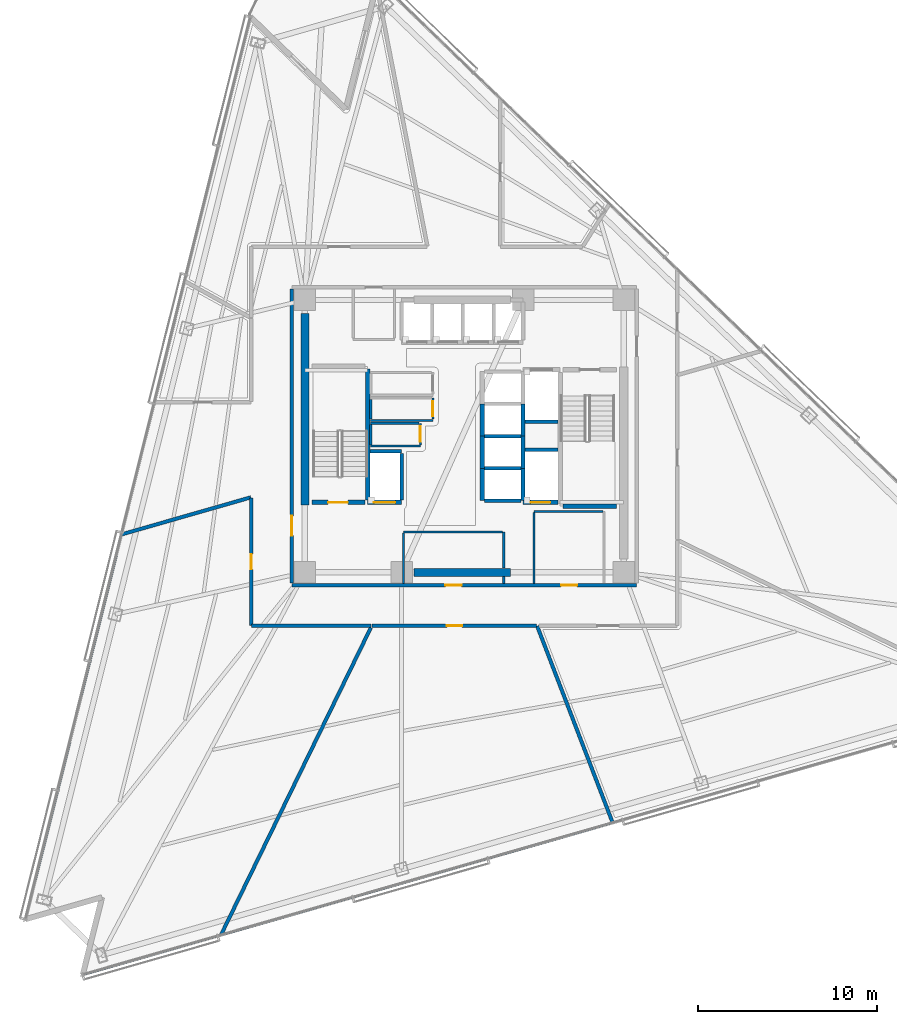
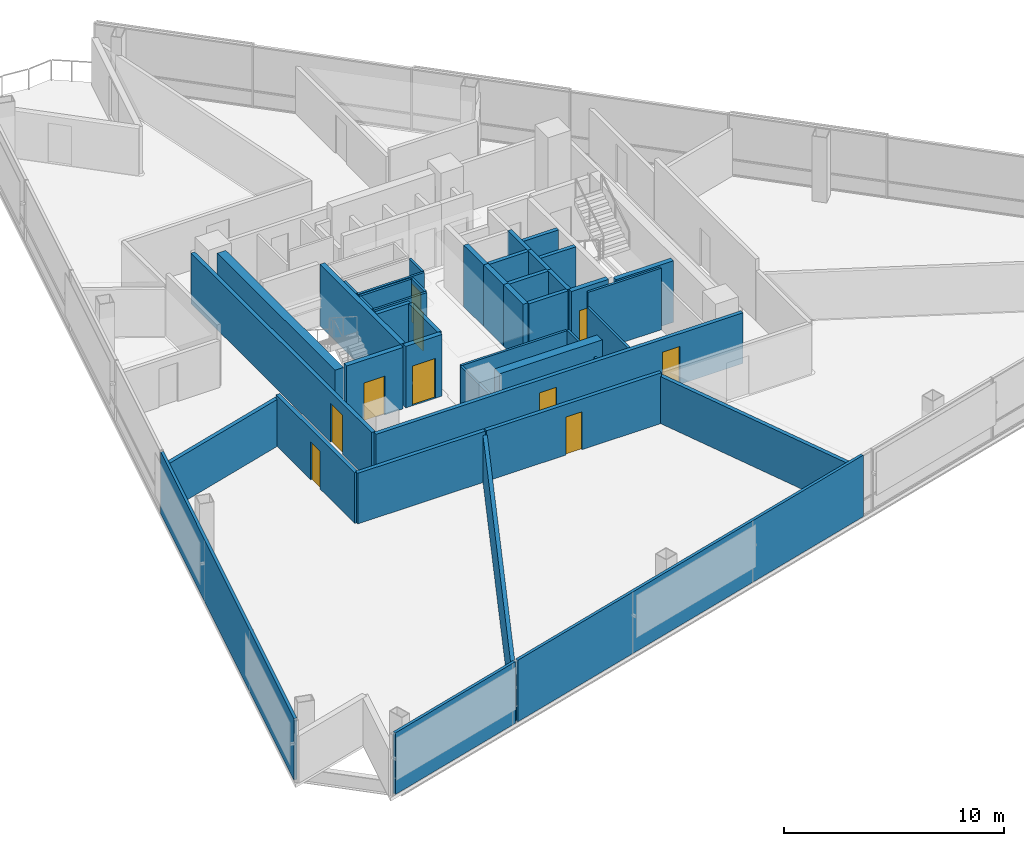
# One storey, part 9 of 17: 44 walls, 10 doors, 10 openings.
"""IFC4 building model written with IfcOpenShell, lengths in metres."""

from ifc_helpers import new_model, si_unit, direction, frame, frame_2d, origin, place, context, subcontext, project, spatial, rectangle, extrude, material, layer, layer_set, type_object, element, fill, save


model = new_model("IFC4")

# Units and contexts
model_context = context("Model", 3, precision=1e-05, world=origin(), true_north=direction((0.0, 1.0)))
body_context = subcontext(model_context, "Body", "Model", "MODEL_VIEW")
ifc_project = project(units=[si_unit("LENGTHUNIT", "METRE"), si_unit("AREAUNIT", "SQUARE_METRE"), si_unit("VOLUMEUNIT", "CUBIC_METRE"), si_unit("PLANEANGLEUNIT", "RADIAN"), si_unit("MASSUNIT", "GRAM", prefix="KILO")], contexts=[model_context])

# Site, building, storey
site_placement = place(None, origin())
site = spatial("IfcSite", under=ifc_project, at=site_placement, CompositionType="ELEMENT")
building_placement = place(site_placement, origin())
building = spatial("IfcBuilding", under=site, at=building_placement, Name="Tharavind Bronze Gate", CompositionType="ELEMENT")
storey_placement = place(building_placement, frame((0.0, 0.0, 93.300048828125)))
storey = spatial("IfcBuildingStorey", under=building, at=storey_placement, Name="L23", CompositionType="ELEMENT", Elevation=93.300048828125)

# Wall, openings, doors
ifc_material_1 = material(Name="Aerated Concrete Block", Category="concrete")
ifc_layer_1 = layer(ifc_material_1, 0.199951171875)
ifc_layer_set_1 = layer_set([ifc_layer_1], Name="Aerated Concrete Block")
wall_type_1 = type_object("IfcWallType", Name="FIRE RATED PARTITION 200", PredefinedType="PARTITIONING", material=ifc_layer_set_1)
wall_1_placement = place(storey_placement, frame((-9.6201171875, -8.320068359375, 0.0), z_axis=(0.0, 0.0, 1.0), x_axis=(1.0, 0.0, 0.0)))
wall_1 = element("IfcWall", 1, at=wall_1_placement, inside=storey, type_object=wall_type_1, Name="L23 south core corridor wall", PredefinedType="PARTITIONING", context=body_context, shape_type="SweptSolid", body=[
    extrude(rectangle(XDim=19.240234375, YDim=0.199951171875, at=frame_2d((9.6201171875, 0.0))), origin(), (0.0, 0.0, 1.0), 2.804931640625),
])
opening_1_placement = place(wall_1_placement, frame((8.570068359375, 0.0, 0.0)))
opening_1 = element("IfcOpeningElement", 2, at=opening_1_placement, cuts=wall_1, Name="Opening ID07", PredefinedType="OPENING", context=body_context, shape_type="SweptSolid", body=[
    extrude(rectangle(XDim=0.89990234375, YDim=2.10009765625, at=frame_2d((0.449951171875, 1.050048828125))), frame((0.0, 0.11009765625, 0.0), z_axis=(0.0, -1.0, 0.0), x_axis=(1.0, 0.0, 0.0)), (0.0, 0.0, 1.0), 0.219951171875),
])
opening_2_placement = place(wall_1_placement, frame((15.02001953125, 0.0, 0.0)))
opening_2 = element("IfcOpeningElement", 3, at=opening_2_placement, cuts=wall_1, Name="Opening ID07", PredefinedType="OPENING", context=body_context, shape_type="SweptSolid", body=[
    extrude(rectangle(XDim=0.89990234375, YDim=2.10009765625, at=frame_2d((0.449951171875, 1.050048828125))), frame((0.0, 0.11009765625, 0.0), z_axis=(0.0, -1.0, 0.0), x_axis=(1.0, 0.0, 0.0)), (0.0, 0.0, 1.0), 0.219951171875),
])
ifc_material_2 = material(Name="Galvanised Fire Steel", Category="steel")
door_type_1 = type_object("IfcDoorType", Name="PLANT AND RISER FIRE DOOR 900X2100", OperationType="SINGLE_SWING_LEFT", PredefinedType="DOOR", material=ifc_material_2)
door_1_placement = place(opening_1_placement, origin())
door_1 = element("IfcDoor", 4, at=door_1_placement, inside=storey, type_object=door_type_1, Name="L23 Core BMS Control Room fire door", OperationType="SINGLE_SWING_LEFT", OverallHeight=2.10009765625, OverallWidth=0.89990234375, PredefinedType="DOOR", context=body_context, shape_type="SweptSolid", body=[
    extrude(rectangle(XDim=0.89990234375, YDim=2.10009765625, at=frame_2d((0.449951171875, 1.050048828125))), frame((0.0, 0.02490234375, 0.0), z_axis=(0.0, -1.0, 0.0), x_axis=(1.0, 0.0, 0.0)), (0.0, 0.0, 1.0), 0.050048828125),
])
fill(opening_1, door_1)
door_2_placement = place(opening_2_placement, origin())
door_2 = element("IfcDoor", 5, at=door_2_placement, inside=storey, type_object=door_type_1, Name="L23 Telecom Metering Room fire door", OperationType="SINGLE_SWING_LEFT", OverallHeight=2.10009765625, OverallWidth=0.89990234375, PredefinedType="DOOR", context=body_context, shape_type="SweptSolid", body=[
    extrude(rectangle(XDim=0.89990234375, YDim=2.10009765625, at=frame_2d((0.449951171875, 1.050048828125))), frame((0.0, 0.02490234375, 0.0), z_axis=(0.0, -1.0, 0.0), x_axis=(1.0, 0.0, 0.0)), (0.0, 0.0, 1.0), 0.050048828125),
])
fill(opening_2, door_2)

# Wall, opening, door
wall_2_placement = place(storey_placement, frame((-9.6201171875, 8.199951171875, 0.0), z_axis=(0.0, 0.0, 1.0), x_axis=(0.0, -1.0, 0.0)))
wall_2 = element("IfcWall", 6, at=wall_2_placement, inside=storey, type_object=wall_type_1, Name="L23 west core corridor wall", PredefinedType="PARTITIONING", context=body_context, shape_type="SweptSolid", body=[
    extrude(rectangle(XDim=16.39990234375, YDim=0.199951171875, at=frame_2d((8.199951171875, 0.0))), origin(), (0.0, 0.0, 1.0), 2.804931640625),
])
opening_3_placement = place(wall_2_placement, frame((12.64990234375, 0.0, 0.0)))
opening_3 = element("IfcOpeningElement", 7, at=opening_3_placement, cuts=wall_2, Name="Opening ID01", PredefinedType="OPENING", context=body_context, shape_type="SweptSolid", body=[
    extrude(rectangle(XDim=1.10009765625, YDim=2.14990234375, at=frame_2d((0.550048828125, 1.074951171875))), frame((0.0, 0.11009765625, 0.0), z_axis=(0.0, -1.0, 0.0), x_axis=(1.0, 0.0, 0.0)), (0.0, 0.0, 1.0), 0.219951171875),
])
ifc_material_3 = material(Name="Fire-Rated Steel", Category="steel")
door_type_2 = type_object("IfcDoorType", Name="STAIR CORE FIRE DOOR 1100X2150", OperationType="SINGLE_SWING_LEFT", PredefinedType="DOOR", material=ifc_material_3)
door_3_placement = place(opening_3_placement, frame((1.10009765625, 0.0, 0.0), z_axis=(0.0, 0.0, 1.0), x_axis=(-1.0, 0.0, 0.0)))
door_3 = element("IfcDoor", 8, at=door_3_placement, inside=storey, type_object=door_type_2, Name="L23 south west stair lobby fire door", OperationType="SINGLE_SWING_LEFT", OverallHeight=2.14990234375, OverallWidth=1.10009765625, PredefinedType="DOOR", context=body_context, shape_type="SweptSolid", body=[
    extrude(rectangle(XDim=1.10009765625, YDim=2.14990234375, at=frame_2d((0.550048828125, 1.074951171875))), frame((0.0, 0.02490234375, 0.0), z_axis=(0.0, -1.0, 0.0), x_axis=(1.0, 0.0, 0.0)), (0.0, 0.0, 1.0), 0.050048828125),
])
fill(opening_3, door_3)

# Wall
wall_3_placement = place(storey_placement, frame((-19.12060546875, -5.48291015625, 0.0), z_axis=(0.0, 0.0, 1.0), x_axis=(0.961259375601, 0.275645447665, 0.0)))
element("IfcWall", 9, at=wall_3_placement, inside=storey, type_object=wall_type_1, Name="L23 Public Restrooms Block partition", PredefinedType="PARTITIONING", context=body_context, shape_type="SweptSolid", body=[
    extrude(rectangle(XDim=7.499267578125, YDim=0.199951171875, at=frame_2d((3.74951171875, 0.0))), origin(), (0.0, 0.0, 1.0), 2.60498046875),
])

# Wall, opening, door
wall_4_placement = place(storey_placement, frame((-11.8798828125, -3.439697265625, 0.0), z_axis=(0.0, 0.0, 1.0), x_axis=(0.0, -1.0, 0.0)))
wall_4 = element("IfcWall", 10, at=wall_4_placement, inside=storey, type_object=wall_type_1, Name="L23 Public Restrooms Block partition", PredefinedType="PARTITIONING", context=body_context, shape_type="SweptSolid", body=[
    extrude(rectangle(XDim=7.1396484375, YDim=0.199951171875, at=frame_2d((3.56982421875, 0.0))), origin(), (0.0, 0.0, 1.0), 2.804931640625),
])
opening_4_placement = place(wall_4_placement, frame((3.14501953125, 0.0, 0.0)))
opening_4 = element("IfcOpeningElement", 11, at=opening_4_placement, cuts=wall_4, Name="Opening ID06", PredefinedType="OPENING", context=body_context, shape_type="SweptSolid", body=[
    extrude(rectangle(XDim=0.85009765625, YDim=2.10009765625, at=frame_2d((0.425048828125, 1.050048828125))), frame((0.0, 0.11009765625, 0.0), z_axis=(0.0, -1.0, 0.0), x_axis=(1.0, 0.0, 0.0)), (0.0, 0.0, 1.0), 0.219951171875),
])
ifc_material_4 = material(Name="Moisture-Resistant Timber", Category="wood")
door_type_3 = type_object("IfcDoorType", Name="BATHROOM PRIVACY DOOR 850X2100", OperationType="SINGLE_SWING_RIGHT", PredefinedType="DOOR", material=ifc_material_4)
door_4_placement = place(opening_4_placement, origin())
door_4 = element("IfcDoor", 12, at=door_4_placement, inside=storey, type_object=door_type_3, Name="L23 Public Restrooms Block door", OperationType="SINGLE_SWING_RIGHT", OverallHeight=2.10009765625, OverallWidth=0.85009765625, PredefinedType="DOOR", context=body_context, shape_type="SweptSolid", body=[
    extrude(rectangle(XDim=0.85009765625, YDim=2.10009765625, at=frame_2d((0.425048828125, 1.050048828125))), frame((0.0, 0.02490234375, 0.0), z_axis=(0.0, -1.0, 0.0), x_axis=(1.0, 0.0, 0.0)), (0.0, 0.0, 1.0), 0.050048828125),
])
fill(opening_4, door_4)

# Walls
wall_5_placement = place(storey_placement, frame((-11.87939453125, -10.580078125, 0.0), z_axis=(0.0, 0.0, 1.0), x_axis=(1.0, 0.0, 0.0)))
element("IfcWall", 13, at=wall_5_placement, inside=storey, type_object=wall_type_1, Name="L23 Public Restrooms Block partition", PredefinedType="PARTITIONING", context=body_context, shape_type="SweptSolid", body=[
    extrude(rectangle(XDim=6.67919921875, YDim=0.199951171875, at=frame_2d((3.339599609375, 0.0))), origin(), (0.0, 0.0, 1.0), 2.804931640625),
])
wall_6_placement = place(storey_placement, frame((-5.21142578125, -10.68505859375, 0.0), z_axis=(0.0, 0.0, 1.0), x_axis=(-0.438373182397, -0.898793053464, 0.0)))
element("IfcWall", 14, at=wall_6_placement, inside=storey, type_object=wall_type_1, Name="L23 Public Restrooms Block partition", PredefinedType="PARTITIONING", context=body_context, shape_type="SweptSolid", body=[
    extrude(rectangle(XDim=19.069091796875, YDim=0.199951171875, at=frame_2d((9.53466796875, 0.0))), origin(), (0.0, 0.0, 1.0), 2.60498046875),
])

# Wall, opening, door
wall_7_placement = place(storey_placement, frame((-5.14453125, -10.580078125, 0.0), z_axis=(0.0, 0.0, 1.0), x_axis=(1.0, 0.0, 0.0)))
wall_7 = element("IfcWall", 15, at=wall_7_placement, inside=storey, type_object=wall_type_1, Name="L23 Public Restrooms Block partition", PredefinedType="PARTITIONING", context=body_context, shape_type="SweptSolid", body=[
    extrude(rectangle(XDim=9.188720703125, YDim=0.199951171875, at=frame_2d((4.59423828125, 0.0))), origin(), (0.0, 0.0, 1.0), 2.804931640625),
])
opening_5_placement = place(wall_7_placement, frame((4.1689453125, 0.0, 0.0)))
opening_5 = element("IfcOpeningElement", 16, at=opening_5_placement, cuts=wall_7, Name="Opening ID06", PredefinedType="OPENING", context=body_context, shape_type="SweptSolid", body=[
    extrude(rectangle(XDim=0.85009765625, YDim=2.10009765625, at=frame_2d((0.425048828125, 1.050048828125))), frame((0.0, 0.11009765625, 0.0), z_axis=(0.0, -1.0, 0.0), x_axis=(1.0, 0.0, 0.0)), (0.0, 0.0, 1.0), 0.219951171875),
])
door_5_placement = place(opening_5_placement, origin())
door_5 = element("IfcDoor", 17, at=door_5_placement, inside=storey, type_object=door_type_3, Name="L23 Public Restrooms Block door", OperationType="SINGLE_SWING_RIGHT", OverallHeight=2.10009765625, OverallWidth=0.85009765625, PredefinedType="DOOR", context=body_context, shape_type="SweptSolid", body=[
    extrude(rectangle(XDim=0.85009765625, YDim=2.10009765625, at=frame_2d((0.425048828125, 1.050048828125))), frame((0.0, 0.02490234375, 0.0), z_axis=(0.0, -1.0, 0.0), x_axis=(1.0, 0.0, 0.0)), (0.0, 0.0, 1.0), 0.050048828125),
])
fill(opening_5, door_5)

# Walls
wall_8_placement = place(storey_placement, frame((4.0673828125, -10.595947265625, 0.0), z_axis=(0.0, 0.0, 1.0), x_axis=(0.358376224971, -0.933577249817, 0.0)))
element("IfcWall", 18, at=wall_8_placement, inside=storey, type_object=wall_type_1, Name="L23 Public Restrooms Block partition", PredefinedType="PARTITIONING", context=body_context, shape_type="SweptSolid", body=[
    extrude(rectangle(XDim=11.724853515625, YDim=0.199951171875, at=frame_2d((5.8623046875, 0.0))), origin(), (0.0, 0.0, 1.0), 2.60498046875),
])
ifc_material_5 = material(Name="Metal Stud Gypsum Partition", Category="gypsum")
ifc_layer_2 = layer(ifc_material_5, 0.1201171875)
ifc_layer_set_2 = layer_set([ifc_layer_2], Name="Metal Stud Gypsum Partition")
wall_type_2 = type_object("IfcWallType", Name="INTERIOR PARTITION WALL 120", PredefinedType="PARTITIONING", material=ifc_layer_set_2)
wall_9_placement = place(storey_placement, frame((-5.219970703125, 0.8798828125, 0.0), z_axis=(0.0, 0.0, 1.0), x_axis=(1.0, 0.0, 0.0)))
element("IfcWall", 19, at=wall_9_placement, inside=storey, type_object=wall_type_2, Name="L23 Comms Data Room partition 1", PredefinedType="PARTITIONING", context=body_context, shape_type="SweptSolid", body=[
    extrude(rectangle(XDim=3.469970703125, YDim=0.1201171875, at=frame_2d((1.73486328125, 0.0))), origin(), (0.0, 0.0, 1.0), 3.409912109375),
])

# Wall, opening, door
wall_10_placement = place(storey_placement, frame((-1.75, 0.945068359375, 0.0), z_axis=(0.0, 0.0, 1.0), x_axis=(0.0, 1.0, 0.0)))
wall_10 = element("IfcWall", 20, at=wall_10_placement, inside=storey, type_object=wall_type_2, Name="L23 Comms Data Room partition 2", PredefinedType="PARTITIONING", context=body_context, shape_type="SweptSolid", body=[
    extrude(rectangle(XDim=1.175048828125, YDim=0.1201171875, at=frame_2d((0.58740234375, 0.0))), origin(), (0.0, 0.0, 1.0), 3.409912109375),
])
opening_6_placement = place(wall_10_placement, frame((0.1630859375, 0.0, 0.0)))
opening_6 = element("IfcOpeningElement", 21, at=opening_6_placement, cuts=wall_10, Name="Opening ID06", PredefinedType="OPENING", context=body_context, shape_type="SweptSolid", body=[
    extrude(rectangle(XDim=0.85009765625, YDim=2.10009765625, at=frame_2d((0.425048828125, 1.050048828125))), frame((0.0, 0.07005859375, 0.0), z_axis=(0.0, -1.0, 0.0), x_axis=(1.0, 0.0, 0.0)), (0.0, 0.0, 1.0), 0.1401171875),
])
door_6_placement = place(opening_6_placement, frame((0.85009765625, 0.0, 0.0), z_axis=(0.0, 0.0, 1.0), x_axis=(-1.0, 0.0, 0.0)))
door_6 = element("IfcDoor", 22, at=door_6_placement, inside=storey, type_object=door_type_3, Name="L23 Comms Data Room door", OperationType="SINGLE_SWING_RIGHT", OverallHeight=2.10009765625, OverallWidth=0.85009765625, PredefinedType="DOOR", context=body_context, shape_type="SweptSolid", body=[
    extrude(rectangle(XDim=0.85009765625, YDim=2.10009765625, at=frame_2d((0.425048828125, 1.050048828125))), frame((0.0, 0.02490234375, 0.0), z_axis=(0.0, -1.0, 0.0), x_axis=(1.0, 0.0, 0.0)), (0.0, 0.0, 1.0), 0.050048828125),
])
fill(opening_6, door_6)

# Walls
wall_11_placement = place(storey_placement, frame((-5.219970703125, 2.054931640625, 0.0), z_axis=(0.0, 0.0, 1.0), x_axis=(0.0, -1.0, 0.0)))
element("IfcWall", 23, at=wall_11_placement, inside=storey, type_object=wall_type_2, Name="L23 Comms Data Room partition 4", PredefinedType="PARTITIONING", context=body_context, shape_type="SweptSolid", body=[
    extrude(rectangle(XDim=1.10986328125, YDim=0.1201171875, at=frame_2d((0.554931640625, 0.0))), origin(), (0.0, 0.0, 1.0), 3.409912109375),
])
wall_12_placement = place(storey_placement, frame((-5.219970703125, -0.550048828125, 0.0), z_axis=(0.0, 0.0, 1.0), x_axis=(1.0, 0.0, 0.0)))
element("IfcWall", 24, at=wall_12_placement, inside=storey, type_object=wall_type_2, Name="L23 Electrical Metering Store partition 1", PredefinedType="PARTITIONING", context=body_context, shape_type="SweptSolid", body=[
    extrude(rectangle(XDim=2.77001953125, YDim=0.1201171875, at=frame_2d((1.385009765625, 0.0))), origin(), (0.0, 0.0, 1.0), 3.409912109375),
])

# Wall, opening, door
wall_13_placement = place(storey_placement, frame((-2.449951171875, -0.485107421875, 0.0), z_axis=(0.0, 0.0, 1.0), x_axis=(0.0, 1.0, 0.0)))
wall_13 = element("IfcWall", 25, at=wall_13_placement, inside=storey, type_object=wall_type_2, Name="L23 Electrical Metering Store partition 2", PredefinedType="PARTITIONING", context=body_context, shape_type="SweptSolid", body=[
    extrude(rectangle(XDim=1.205078125, YDim=0.1201171875, at=frame_2d((0.6025390625, 0.0))), origin(), (0.0, 0.0, 1.0), 3.409912109375),
])
opening_7_placement = place(wall_13_placement, frame((0.177978515625, 0.0, 0.0)))
opening_7 = element("IfcOpeningElement", 26, at=opening_7_placement, cuts=wall_13, Name="Opening ID06", PredefinedType="OPENING", context=body_context, shape_type="SweptSolid", body=[
    extrude(rectangle(XDim=0.85009765625, YDim=2.10009765625, at=frame_2d((0.425048828125, 1.050048828125))), frame((0.0, 0.07005859375, 0.0), z_axis=(0.0, -1.0, 0.0), x_axis=(1.0, 0.0, 0.0)), (0.0, 0.0, 1.0), 0.1401171875),
])
door_7_placement = place(opening_7_placement, frame((0.85009765625, 0.0, 0.0), z_axis=(0.0, 0.0, 1.0), x_axis=(-1.0, 0.0, 0.0)))
door_7 = element("IfcDoor", 27, at=door_7_placement, inside=storey, type_object=door_type_3, Name="L23 Electrical Metering Store door", OperationType="SINGLE_SWING_RIGHT", OverallHeight=2.10009765625, OverallWidth=0.85009765625, PredefinedType="DOOR", context=body_context, shape_type="SweptSolid", body=[
    extrude(rectangle(XDim=0.85009765625, YDim=2.10009765625, at=frame_2d((0.425048828125, 1.050048828125))), frame((0.0, 0.02490234375, 0.0), z_axis=(0.0, -1.0, 0.0), x_axis=(1.0, 0.0, 0.0)), (0.0, 0.0, 1.0), 0.050048828125),
])
fill(opening_7, door_7)

# Walls
wall_14_placement = place(storey_placement, frame((-2.514892578125, 0.719970703125, 0.0), z_axis=(0.0, 0.0, 1.0), x_axis=(-1.0, 0.0, 0.0)))
element("IfcWall", 28, at=wall_14_placement, inside=storey, type_object=wall_type_2, Name="L23 Electrical Metering Store partition 3", PredefinedType="PARTITIONING", context=body_context, shape_type="SweptSolid", body=[
    extrude(rectangle(XDim=2.705078125, YDim=0.1201171875, at=frame_2d((1.3525390625, 0.0))), origin(), (0.0, 0.0, 1.0), 3.409912109375),
])
wall_15_placement = place(storey_placement, frame((-5.219970703125, 0.655029296875, 0.0), z_axis=(0.0, 0.0, 1.0), x_axis=(0.0, -1.0, 0.0)))
element("IfcWall", 29, at=wall_15_placement, inside=storey, type_object=wall_type_2, Name="L23 Electrical Metering Store partition 4", PredefinedType="PARTITIONING", context=body_context, shape_type="SweptSolid", body=[
    extrude(rectangle(XDim=1.14013671875, YDim=0.1201171875, at=frame_2d((0.570068359375, 0.0))), origin(), (0.0, 0.0, 1.0), 3.409912109375),
])
wall_16_placement = place(storey_placement, frame((2.199951171875, -8.215087890625, 0.0), z_axis=(0.0, 0.0, 1.0), x_axis=(0.0, 1.0, 0.0)))
element("IfcWall", 30, at=wall_16_placement, inside=storey, type_object=wall_type_2, Name="L23 Core BMS Control Room partition 2", PredefinedType="PARTITIONING", context=body_context, shape_type="SweptSolid", body=[
    extrude(rectangle(XDim=0.385009765625, YDim=0.1201171875, at=frame_2d((0.1923828125, 0.0))), origin(), (0.0, 0.0, 1.0), 2.60498046875),
])
wall_17_placement = place(storey_placement, frame((2.199951171875, -7.3701171875, 0.0), z_axis=(0.0, 0.0, 1.0), x_axis=(0.0, 1.0, 0.0)))
element("IfcWall", 31, at=wall_17_placement, inside=storey, type_object=wall_type_2, Name="L23 Core BMS Control Room partition 2", PredefinedType="PARTITIONING", context=body_context, shape_type="SweptSolid", body=[
    extrude(rectangle(XDim=2.02001953125, YDim=0.1201171875, at=frame_2d((1.010009765625, 0.0))), origin(), (0.0, 0.0, 1.0), 2.60498046875),
])
wall_18_placement = place(storey_placement, frame((2.135009765625, -5.35009765625, 0.0), z_axis=(0.0, 0.0, 1.0), x_axis=(-1.0, 0.0, 0.0)))
element("IfcWall", 32, at=wall_18_placement, inside=storey, type_object=wall_type_2, Name="L23 Core BMS Control Room partition 3", PredefinedType="PARTITIONING", context=body_context, shape_type="SweptSolid", body=[
    extrude(rectangle(XDim=5.534912109375, YDim=0.1201171875, at=frame_2d((2.767578125, 0.0))), origin(), (0.0, 0.0, 1.0), 2.60498046875),
])
wall_19_placement = place(storey_placement, frame((-3.39990234375, -5.4150390625, 0.0), z_axis=(0.0, 0.0, 1.0), x_axis=(0.0, -1.0, 0.0)))
element("IfcWall", 33, at=wall_19_placement, inside=storey, type_object=wall_type_2, Name="L23 Core BMS Control Room partition 4", PredefinedType="PARTITIONING", context=body_context, shape_type="SweptSolid", body=[
    extrude(rectangle(XDim=2.800048828125, YDim=0.1201171875, at=frame_2d((1.39990234375, 0.0))), origin(), (0.0, 0.0, 1.0), 2.60498046875),
])
wall_20_placement = place(storey_placement, frame((7.735107421875, -4.199951171875, 0.0), z_axis=(0.0, 0.0, 1.0), x_axis=(-1.0, 0.0, 0.0)))
element("IfcWall", 34, at=wall_20_placement, inside=storey, type_object=wall_type_2, Name="L23 Telecom Metering Room partition 3", PredefinedType="PARTITIONING", context=body_context, shape_type="SweptSolid", body=[
    extrude(rectangle(XDim=3.835205078125, YDim=0.1201171875, at=frame_2d((1.91748046875, 0.0))), origin(), (0.0, 0.0, 1.0), 3.409912109375),
])
wall_21_placement = place(storey_placement, frame((3.89990234375, -4.264892578125, 0.0), z_axis=(0.0, 0.0, 1.0), x_axis=(0.0, -1.0, 0.0)))
element("IfcWall", 35, at=wall_21_placement, inside=storey, type_object=wall_type_2, Name="L23 Telecom Metering Room partition 4", PredefinedType="PARTITIONING", context=body_context, shape_type="SweptSolid", body=[
    extrude(rectangle(XDim=3.9501953125, YDim=0.1201171875, at=frame_2d((1.97509765625, 0.0))), origin(), (0.0, 0.0, 1.0), 2.60498046875),
])
ifc_material_6 = material(Name="Twin Stud Acoustic Gypsum", Category="gypsum")
ifc_layer_3 = layer(ifc_material_6, 0.14990234375)
ifc_layer_set_3 = layer_set([ifc_layer_3], Name="Twin Stud Acoustic Gypsum")
wall_type_3 = type_object("IfcWallType", Name="INTERIOR PARTITION WALL 150", PredefinedType="PARTITIONING", material=ifc_layer_set_3)
wall_22_placement = place(storey_placement, frame((-24.446044921875, -26.789794921875, 0.0), z_axis=(0.0, 0.0, 1.0), x_axis=(0.241928161831, 0.970294163908, 0.0)))
element("IfcWall", 36, at=wall_22_placement, inside=storey, type_object=wall_type_3, Name="L23 Public Restrooms Block partition", PredefinedType="PARTITIONING", context=body_context, shape_type="SweptSolid", body=[
    extrude(rectangle(XDim=21.94091796875, YDim=0.14990234375, at=frame_2d((10.970458984375, 0.0))), origin(), (0.0, 0.0, 1.0), 3.409912109375),
])
wall_23_placement = place(storey_placement, frame((-13.586181640625, -27.837158203125, 0.0), z_axis=(0.0, 0.0, 1.0), x_axis=(-0.961259140901, -0.275646266135, 0.0)))
element("IfcWall", 37, at=wall_23_placement, inside=storey, type_object=wall_type_3, Name="L23 Public Restrooms Block partition", PredefinedType="PARTITIONING", context=body_context, shape_type="SweptSolid", body=[
    extrude(rectangle(XDim=7.841064453125, YDim=0.14990234375, at=frame_2d((3.92041015625, 0.0))), origin(), (0.0, 0.0, 1.0), 3.409912109375),
])
wall_24_placement = place(storey_placement, frame((8.252685546875, -21.574951171875, 0.0), z_axis=(0.0, 0.0, 1.0), x_axis=(-0.961261412197, -0.275638345338, 0.0)))
element("IfcWall", 38, at=wall_24_placement, inside=storey, type_object=wall_type_3, Name="L23 Public Restrooms Block partition", PredefinedType="PARTITIONING", context=body_context, shape_type="SweptSolid", body=[
    extrude(rectangle(XDim=22.566650390625, YDim=0.14990234375, at=frame_2d((11.283203125, 0.0))), origin(), (0.0, 0.0, 1.0), 3.409912109375),
])
ifc_material_7 = material(Name="Concrete C50/60", Category="concrete")
ifc_layer_4 = layer(ifc_material_7, 0.25)
ifc_layer_set_4 = layer_set([ifc_layer_4], Name="Concrete C50/60")
wall_type_4 = type_object("IfcWallType", Name="RC CORE SHEAR WALL 250", PredefinedType="SHEAR", material=ifc_layer_set_4)
wall_25_placement = place(storey_placement, frame((-5.39990234375, -3.550048828125, 0.0), z_axis=(0.0, 0.0, 1.0), x_axis=(0.0, 1.0, 0.0)))
element("IfcWall", 39, at=wall_25_placement, inside=storey, type_object=wall_type_4, Name="L23 ST1 shaft east wall", PredefinedType="SHEAR", context=body_context, shape_type="SweptSolid", body=[
    extrude(rectangle(XDim=7.300048828125, YDim=0.25, at=frame_2d((3.64990234375, 0.0))), origin(), (0.0, 0.0, 1.0), 3.409912109375),
])

# Wall, opening, door
wall_26_placement = place(storey_placement, frame((-8.5, -3.699951171875, 0.0), z_axis=(0.0, 0.0, 1.0), x_axis=(1.0, 0.0, 0.0)))
wall_26 = element("IfcWall", 40, at=wall_26_placement, inside=storey, type_object=wall_type_4, Name="L23 ST1 shaft south wall", PredefinedType="SHEAR", context=body_context, shape_type="SweptSolid", body=[
    extrude(rectangle(XDim=2.949951171875, YDim=0.25, at=frame_2d((1.47509765625, 0.0))), origin(), (0.0, 0.0, 1.0), 3.409912109375),
])
opening_8_placement = place(wall_26_placement, frame((0.89990234375, 0.0, 0.0)))
opening_8 = element("IfcOpeningElement", 41, at=opening_8_placement, cuts=wall_26, Name="Opening ID01", PredefinedType="OPENING", context=body_context, shape_type="SweptSolid", body=[
    extrude(rectangle(XDim=1.10009765625, YDim=2.14990234375, at=frame_2d((0.550048828125, 1.074951171875))), frame((0.0, 0.135, 0.0), z_axis=(0.0, -1.0, 0.0), x_axis=(1.0, 0.0, 0.0)), (0.0, 0.0, 1.0), 0.27),
])
door_8_placement = place(opening_8_placement, origin())
door_8 = element("IfcDoor", 42, at=door_8_placement, inside=storey, type_object=door_type_2, Name="L23 exit stair ST1 fire door", OperationType="SINGLE_SWING_LEFT", OverallHeight=2.14990234375, OverallWidth=1.10009765625, PredefinedType="DOOR", context=body_context, shape_type="SweptSolid", body=[
    extrude(rectangle(XDim=1.10009765625, YDim=2.14990234375, at=frame_2d((0.550048828125, 1.074951171875))), frame((0.0, 0.02490234375, 0.0), z_axis=(0.0, -1.0, 0.0), x_axis=(1.0, 0.0, 0.0)), (0.0, 0.0, 1.0), 0.050048828125),
])
fill(opening_8, door_8)

# Walls
wall_27_placement = place(storey_placement, frame((5.5, -3.89990234375, 0.0), z_axis=(0.0, 0.0, 1.0), x_axis=(1.0, 0.0, 0.0)))
element("IfcWall", 43, at=wall_27_placement, inside=storey, type_object=wall_type_4, Name="L23 ST2 shaft south wall", PredefinedType="SHEAR", context=body_context, shape_type="SweptSolid", body=[
    extrude(rectangle(XDim=3.0, YDim=0.25, at=frame_2d((1.5, 0.0))), origin(), (0.0, 0.0, 1.0), 3.409912109375),
])
for number, where, z_axis, x_axis, name in (
    (44, (1.0, -3.60009765625, 0.0), (0.0, 0.0, 1.0), (0.0, 1.0, 0.0), "L23 lift PL9 shaft front wall"),
    (45, (1.0, -1.800048828125, 0.0), (0.0, 0.0, 1.0), (0.0, 1.0, 0.0), "L23 lift PL10 shaft front wall"),
    (46, (1.0, 0.0, 0.0), (0.0, 0.0, 1.0), (0.0, 1.0, 0.0), "L23 lift PL11 shaft front wall"),
):
    element("IfcWall", number, at=place(storey_placement, frame(where, z_axis=z_axis, x_axis=x_axis)), inside=storey, type_object=wall_type_4, Name=name, PredefinedType="SHEAR", context=body_context, shape_type="SweptSolid", body=[
        extrude(rectangle(XDim=1.800048828125, YDim=0.25, at=frame_2d((0.89990234375, 0.0))), origin(), (0.0, 0.0, 1.0), 3.409912109375),
    ])

# Wall, opening, door
wall_28_placement = place(storey_placement, frame((-5.39990234375, -3.699951171875, 0.0), z_axis=(0.0, 0.0, 1.0), x_axis=(1.0, 0.0, 0.0)))
wall_28 = element("IfcWall", 47, at=wall_28_placement, inside=storey, type_object=wall_type_4, Name="L23 lift FFL1 shaft front wall", PredefinedType="SHEAR", context=body_context, shape_type="SweptSolid", body=[
    extrude(rectangle(XDim=1.89990234375, YDim=0.25, at=frame_2d((0.949951171875, 0.0))), origin(), (0.0, 0.0, 1.0), 3.409912109375),
])
opening_9_placement = place(wall_28_placement, frame((0.35009765625, 0.0, 0.0)))
opening_9 = element("IfcOpeningElement", 48, at=opening_9_placement, cuts=wall_28, Name="Opening LD02", PredefinedType="OPENING", context=body_context, shape_type="SweptSolid", body=[
    extrude(rectangle(XDim=1.199951171875, YDim=2.199951171875, at=frame_2d((0.60009765625, 1.10009765625))), frame((0.0, 0.135, 0.0), z_axis=(0.0, -1.0, 0.0), x_axis=(1.0, 0.0, 0.0)), (0.0, 0.0, 1.0), 0.27),
])
ifc_material_8 = material(Name="Brushed Stainless Steel", Category="steel")
door_type_4 = type_object("IfcDoorType", Name="FIREFIGHTING LIFT LANDING DOOR 1200X2200", OperationType="SLIDING_TO_RIGHT", PredefinedType="DOOR", material=ifc_material_8)
door_9_placement = place(opening_9_placement, origin())
door_9 = element("IfcDoor", 49, at=door_9_placement, inside=storey, type_object=door_type_4, Name="L23 lift FFL1 sliding landing door", OperationType="SLIDING_TO_RIGHT", OverallHeight=2.199951171875, OverallWidth=1.199951171875, PredefinedType="DOOR", context=body_context, shape_type="SweptSolid", body=[
    extrude(rectangle(XDim=1.199951171875, YDim=2.199951171875, at=frame_2d((0.60009765625, 1.10009765625))), frame((0.0, 0.02490234375, 0.0), z_axis=(0.0, -1.0, 0.0), x_axis=(1.0, 0.0, 0.0)), (0.0, 0.0, 1.0), 0.050048828125),
])
fill(opening_9, door_9)

wall_29_placement = place(storey_placement, frame((3.280029296875, -3.699951171875, 0.0), z_axis=(0.0, 0.0, 1.0), x_axis=(1.0, 0.0, 0.0)))
wall_29 = element("IfcWall", 50, at=wall_29_placement, inside=storey, type_object=wall_type_4, Name="L23 lift SVL1 shaft front wall", PredefinedType="SHEAR", context=body_context, shape_type="SweptSolid", body=[
    extrude(rectangle(XDim=1.93994140625, YDim=0.25, at=frame_2d((0.969970703125, 0.0))), origin(), (0.0, 0.0, 1.0), 3.409912109375),
])
opening_10_placement = place(wall_29_placement, frame((0.419921875, 0.0, 0.0)))
opening_10 = element("IfcOpeningElement", 51, at=opening_10_placement, cuts=wall_29, Name="Opening LD01", PredefinedType="OPENING", context=body_context, shape_type="SweptSolid", body=[
    extrude(rectangle(XDim=1.10009765625, YDim=2.199951171875, at=frame_2d((0.550048828125, 1.10009765625))), frame((0.0, 0.135, 0.0), z_axis=(0.0, -1.0, 0.0), x_axis=(1.0, 0.0, 0.0)), (0.0, 0.0, 1.0), 0.27),
])
ifc_material_9 = material(Name="Brushed Bronze Stainless Steel", Category="steel")
door_type_5 = type_object("IfcDoorType", Name="LIFT LANDING SLIDING DOOR 1100X2200", OperationType="SLIDING_TO_LEFT", PredefinedType="DOOR", material=ifc_material_9)
door_10_placement = place(opening_10_placement, origin())
door_10 = element("IfcDoor", 52, at=door_10_placement, inside=storey, type_object=door_type_5, Name="L23 lift SVL1 sliding landing door", OperationType="SLIDING_TO_LEFT", OverallHeight=2.199951171875, OverallWidth=1.10009765625, PredefinedType="DOOR", context=body_context, shape_type="SweptSolid", body=[
    extrude(rectangle(XDim=1.10009765625, YDim=2.199951171875, at=frame_2d((0.550048828125, 1.10009765625))), frame((0.0, 0.02490234375, 0.0), z_axis=(0.0, -1.0, 0.0), x_axis=(1.0, 0.0, 0.0)), (0.0, 0.0, 1.0), 0.050048828125),
])
fill(opening_10, door_10)

# Walls
ifc_material_10 = material(Name="Concrete C60/75", Category="concrete")
ifc_layer_5 = layer(ifc_material_10, 0.449951171875)
ifc_layer_set_5 = layer_set([ifc_layer_5], Name="Concrete C60/75")
wall_type_5 = type_object("IfcWallType", Name="RC CORE SHEAR WALL 450", PredefinedType="SHEAR", material=ifc_layer_set_5)
wall_30_placement = place(storey_placement, frame((-2.800048828125, -7.60009765625, 0.0), z_axis=(0.0, 0.0, 1.0), x_axis=(1.0, 0.0, 0.0)))
element("IfcWall", 53, at=wall_30_placement, inside=storey, type_object=wall_type_5, Name="L23 south core shear wall", PredefinedType="SHEAR", context=body_context, shape_type="SweptSolid", body=[
    extrude(rectangle(XDim=5.380126953125, YDim=0.449951171875, at=frame_2d((2.68994140625, 0.0))), origin(), (0.0, 0.0, 1.0), 3.409912109375),
])
wall_31_placement = place(storey_placement, frame((-8.89990234375, -3.85009765625, 0.0), z_axis=(0.0, 0.0, 1.0), x_axis=(0.0, 1.0, 0.0)))
element("IfcWall", 54, at=wall_31_placement, inside=storey, type_object=wall_type_5, Name="L23 west core shear wall", PredefinedType="SHEAR", context=body_context, shape_type="SweptSolid", body=[
    extrude(rectangle(XDim=10.7001953125, YDim=0.449951171875, at=frame_2d((5.35009765625, 0.0))), origin(), (0.0, 0.0, 1.0), 3.409912109375),
])
ifc_material_11 = material(Name="Concrete C40/50", Category="concrete")
ifc_layer_6 = layer(ifc_material_11, 0.199951171875)
ifc_layer_set_6 = layer_set([ifc_layer_6], Name="Concrete C40/50")
wall_type_6 = type_object("IfcWallType", Name="SHAFT ENCLOSURE WALL 200", PredefinedType="PARTITIONING", material=ifc_layer_set_6)
wall_32_placement = place(storey_placement, frame((3.280029296875, -3.60009765625, 0.0), z_axis=(0.0, 0.0, 1.0), x_axis=(0.0, 1.0, 0.0)))
element("IfcWall", 55, at=wall_32_placement, inside=storey, type_object=wall_type_6, Name="L23 lift PL9 shaft E enclosure wall", PredefinedType="PARTITIONING", context=body_context, shape_type="SweptSolid", body=[
    extrude(rectangle(XDim=1.800048828125, YDim=0.199951171875, at=frame_2d((0.89990234375, 0.0))), origin(), (0.0, 0.0, 1.0), 3.409912109375),
])
for number, where, z_axis, x_axis, name in (
    (56, (1.1298828125, -3.60009765625, 0.0), (0.0, 0.0, 1.0), (1.0, 0.0, 0.0), "L23 lift PL9 shaft S enclosure wall"),
    (57, (1.1298828125, -1.800048828125, 0.0), (0.0, 0.0, 1.0), (1.0, 0.0, 0.0), "L23 lift PL9 shaft N enclosure wall"),
):
    element("IfcWall", number, at=place(storey_placement, frame(where, z_axis=z_axis, x_axis=x_axis)), inside=storey, type_object=wall_type_6, Name=name, PredefinedType="PARTITIONING", context=body_context, shape_type="SweptSolid", body=[
        extrude(rectangle(XDim=2.045166015625, YDim=0.199951171875, at=frame_2d((1.0224609375, 0.0))), origin(), (0.0, 0.0, 1.0), 3.409912109375),
    ])
wall_33_placement = place(storey_placement, frame((3.280029296875, -1.800048828125, 0.0), z_axis=(0.0, 0.0, 1.0), x_axis=(0.0, 1.0, 0.0)))
element("IfcWall", 58, at=wall_33_placement, inside=storey, type_object=wall_type_6, Name="L23 lift PL10 shaft E enclosure wall", PredefinedType="PARTITIONING", context=body_context, shape_type="SweptSolid", body=[
    extrude(rectangle(XDim=1.800048828125, YDim=0.199951171875, at=frame_2d((0.89990234375, 0.0))), origin(), (0.0, 0.0, 1.0), 3.409912109375),
])
wall_34_placement = place(storey_placement, frame((1.1298828125, 0.0, 0.0), z_axis=(0.0, 0.0, 1.0), x_axis=(1.0, 0.0, 0.0)))
element("IfcWall", 59, at=wall_34_placement, inside=storey, type_object=wall_type_6, Name="L23 lift PL10 shaft N enclosure wall", PredefinedType="PARTITIONING", context=body_context, shape_type="SweptSolid", body=[
    extrude(rectangle(XDim=2.045166015625, YDim=0.199951171875, at=frame_2d((1.0224609375, 0.0))), origin(), (0.0, 0.0, 1.0), 3.409912109375),
])
wall_35_placement = place(storey_placement, frame((3.280029296875, 0.0, 0.0), z_axis=(0.0, 0.0, 1.0), x_axis=(0.0, 1.0, 0.0)))
element("IfcWall", 60, at=wall_35_placement, inside=storey, type_object=wall_type_6, Name="L23 lift PL11 shaft E enclosure wall", PredefinedType="PARTITIONING", context=body_context, shape_type="SweptSolid", body=[
    extrude(rectangle(XDim=1.800048828125, YDim=0.199951171875, at=frame_2d((0.89990234375, 0.0))), origin(), (0.0, 0.0, 1.0), 3.409912109375),
])
wall_36_placement = place(storey_placement, frame((-5.27001953125, -0.85009765625, 0.0), z_axis=(0.0, 0.0, 1.0), x_axis=(1.0, 0.0, 0.0)))
element("IfcWall", 61, at=wall_36_placement, inside=storey, type_object=wall_type_6, Name="L23 lift FFL1 shaft N enclosure wall", PredefinedType="PARTITIONING", context=body_context, shape_type="SweptSolid", body=[
    extrude(rectangle(XDim=1.77001953125, YDim=0.199951171875, at=frame_2d((0.885009765625, 0.0))), origin(), (0.0, 0.0, 1.0), 3.409912109375),
])
wall_37_placement = place(storey_placement, frame((-3.5, -3.570068359375, 0.0), z_axis=(0.0, 0.0, 1.0), x_axis=(0.0, 1.0, 0.0)))
element("IfcWall", 62, at=wall_37_placement, inside=storey, type_object=wall_type_6, Name="L23 lift FFL1 shaft E enclosure wall", PredefinedType="PARTITIONING", context=body_context, shape_type="SweptSolid", body=[
    extrude(rectangle(XDim=2.614990234375, YDim=0.199951171875, at=frame_2d((1.3076171875, 0.0))), origin(), (0.0, 0.0, 1.0), 3.409912109375),
])
for number, where, z_axis, x_axis, name in (
    (63, (3.385009765625, 0.800048828125, 0.0), (0.0, 0.0, 1.0), (1.0, 0.0, 0.0), "L23 lift FFL2 shaft S enclosure wall"),
    (64, (3.385009765625, -0.75, 0.0), (0.0, 0.0, 1.0), (1.0, 0.0, 0.0), "L23 lift SVL1 shaft N enclosure wall"),
):
    element("IfcWall", number, at=place(storey_placement, frame(where, z_axis=z_axis, x_axis=x_axis)), inside=storey, type_object=wall_type_6, Name=name, PredefinedType="PARTITIONING", context=body_context, shape_type="SweptSolid", body=[
        extrude(rectangle(XDim=1.8349609375, YDim=0.199951171875, at=frame_2d((0.91748046875, 0.0))), origin(), (0.0, 0.0, 1.0), 3.409912109375),
    ])

save(model, "model.ifc")
